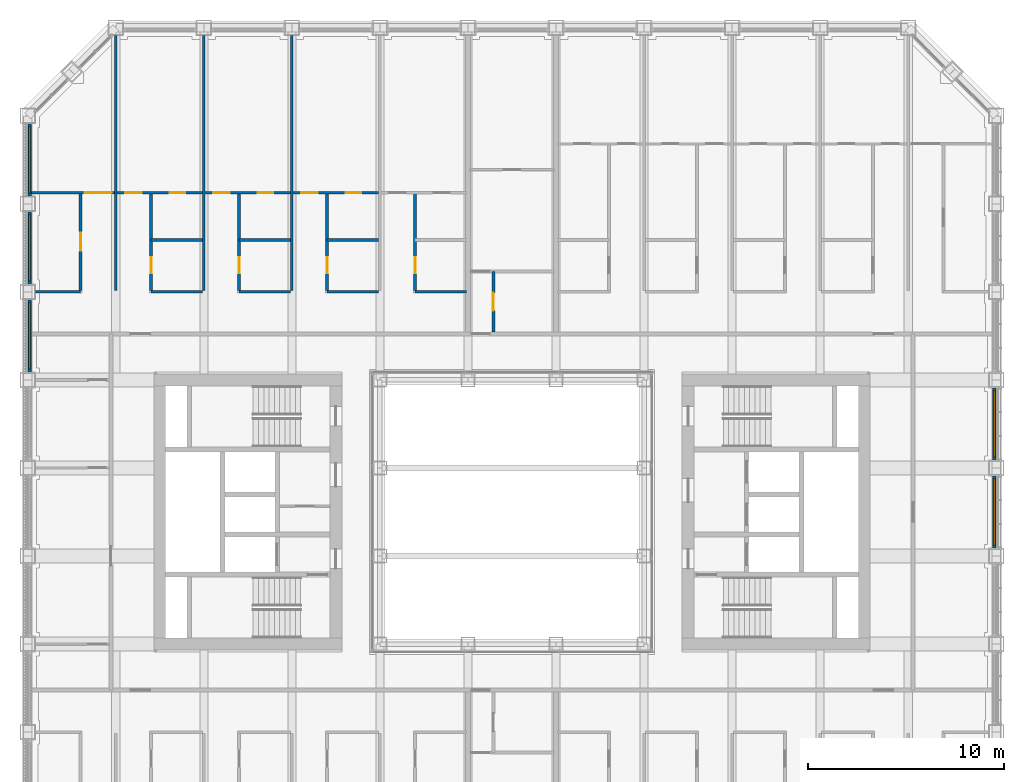
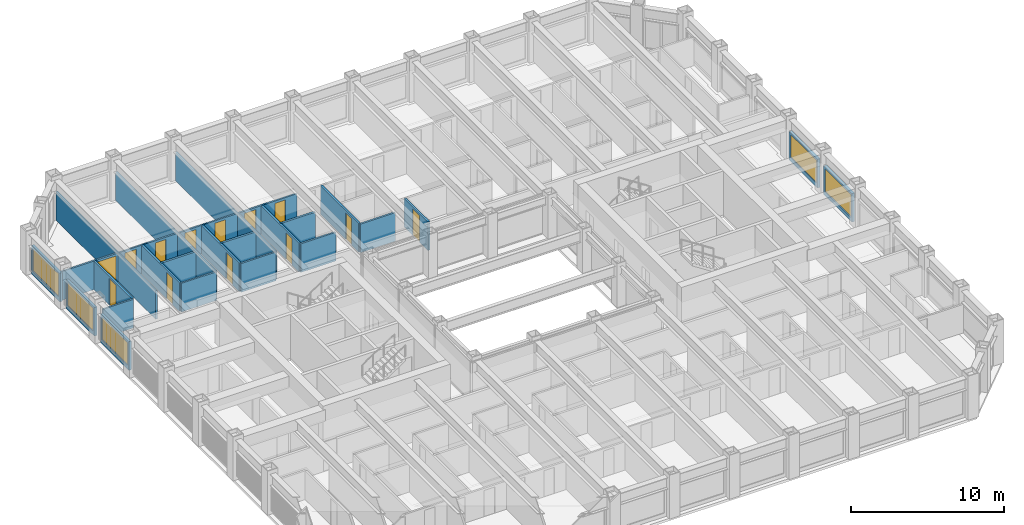
# One storey, part 13 of 21: 26 walls, 13 doors, 5 windows, 18 openings.
"""IFC4 building model written with IfcOpenShell, lengths in metres."""

from ifc_helpers import new_model, si_unit, direction, frame, frame_2d, origin, place, context, subcontext, project, spatial, rectangle, extrude, material, layer, layer_set, type_object, element, fill, save


model = new_model("IFC4")

# Units and contexts
model_context = context("Model", 3, precision=1e-05, world=origin(), true_north=direction((0.0, 1.0)))
body_context = subcontext(model_context, "Body", "Model", "MODEL_VIEW")
ifc_project = project(units=[si_unit("LENGTHUNIT", "METRE"), si_unit("AREAUNIT", "SQUARE_METRE"), si_unit("VOLUMEUNIT", "CUBIC_METRE"), si_unit("PLANEANGLEUNIT", "RADIAN"), si_unit("MASSUNIT", "GRAM", prefix="KILO")], contexts=[model_context])

# Site, building, storey
site_placement = place(None, origin())
site = spatial("IfcSite", under=ifc_project, at=site_placement, CompositionType="ELEMENT")
building_placement = place(site_placement, origin())
building = spatial("IfcBuilding", under=site, at=building_placement, Name="Msasa Ring Tower", CompositionType="ELEMENT")
storey_placement = place(building_placement, frame((0.0, 0.0, 103.5)))
storey = spatial("IfcBuildingStorey", under=building, at=storey_placement, Name="L27", CompositionType="ELEMENT", Elevation=103.5)

# Wall, opening, window
ifc_material_1 = material(Name="Terracotta rainscreen on blockwork", Category="masonry")
ifc_layer_1 = layer(ifc_material_1, 0.199951171875)
ifc_layer_set_1 = layer_set([ifc_layer_1], Name="FW1 TERRACOTTA-LINED INFILL BAY WALL 200")
wall_type_1 = type_object("IfcWallType", Name="FW1 TERRACOTTA-LINED INFILL BAY WALL 200", PredefinedType="SOLIDWALL", material=ifc_layer_set_1)
wall_1_placement = place(storey_placement, frame((24.64990234375, -1.844970703125, 0.0), z_axis=(0.0, 0.0, 1.0), x_axis=(0.0, 1.0, 0.0)))
wall_1 = element("IfcWall", 1, at=wall_1_placement, inside=storey, type_object=wall_type_1, Name="Infill bay wall E L27 15", PredefinedType="SOLIDWALL", context=body_context, shape_type="SweptSolid", body=[
    extrude(rectangle(XDim=3.68994140625, YDim=0.199951171875, at=frame_2d((1.844970703125, 0.0))), origin(), (0.0, 0.0, 1.0), 2.279052734375),
])
opening_1_placement = place(wall_1_placement, frame((0.14501953125, 0.0, 0.300048828125)))
opening_1 = element("IfcOpeningElement", 2, at=opening_1_placement, cuts=wall_1, Name="Opening WN6", PredefinedType="OPENING", context=body_context, shape_type="SweptSolid", body=[
    extrude(rectangle(XDim=3.39990234375, YDim=1.8291015625, at=frame_2d((1.699951171875, 0.91455078125))), frame((0.0, 0.10986328125, 0.0), z_axis=(0.0, -1.0, 0.0), x_axis=(1.0, 0.0, 0.0)), (0.0, 0.0, 1.0), 0.219970703125),
])
ifc_material_2 = material(Name="Aluminium frame with clear glass", Category="aluminium")
window_type = type_object("IfcWindowType", Name="WN6 RESIDENCE WINDOW 3400x1829", PartitioningType="SINGLE_PANEL", PredefinedType="WINDOW", material=ifc_material_2)
window_1_placement = place(opening_1_placement, origin())
window_1 = element("IfcWindow", 3, at=window_1_placement, inside=storey, type_object=window_type, Name="Window E L27 15", OverallHeight=1.8291015625, OverallWidth=3.39990234375, PartitioningType="SINGLE_PANEL", PredefinedType="WINDOW", context=body_context, shape_type="SweptSolid", body=[
    extrude(rectangle(XDim=3.39990234375, YDim=1.8291015625, at=frame_2d((1.699951171875, 0.91455078125))), frame((0.0, 0.030029296875, 0.0), z_axis=(0.0, -1.0, 0.0), x_axis=(1.0, 0.0, 0.0)), (0.0, 0.0, 1.0), 0.06005859375),
])
fill(opening_1, window_1)

wall_2_placement = place(storey_placement, frame((24.64990234375, 2.655029296875, 0.0), z_axis=(0.0, 0.0, 1.0), x_axis=(0.0, 1.0, 0.0)))
wall_2 = element("IfcWall", 4, at=wall_2_placement, inside=storey, type_object=wall_type_1, Name="Infill bay wall E L27 16", PredefinedType="SOLIDWALL", context=body_context, shape_type="SweptSolid", body=[
    extrude(rectangle(XDim=3.68994140625, YDim=0.199951171875, at=frame_2d((1.844970703125, 0.0))), origin(), (0.0, 0.0, 1.0), 2.279052734375),
])
opening_2_placement = place(wall_2_placement, frame((0.14501953125, 0.0, 0.300048828125)))
opening_2 = element("IfcOpeningElement", 5, at=opening_2_placement, cuts=wall_2, Name="Opening WN6", PredefinedType="OPENING", context=body_context, shape_type="SweptSolid", body=[
    extrude(rectangle(XDim=3.39990234375, YDim=1.8291015625, at=frame_2d((1.699951171875, 0.91455078125))), frame((0.0, 0.10986328125, 0.0), z_axis=(0.0, -1.0, 0.0), x_axis=(1.0, 0.0, 0.0)), (0.0, 0.0, 1.0), 0.219970703125),
])
window_2_placement = place(opening_2_placement, origin())
window_2 = element("IfcWindow", 6, at=window_2_placement, inside=storey, type_object=window_type, Name="Window E L27 16", OverallHeight=1.8291015625, OverallWidth=3.39990234375, PartitioningType="SINGLE_PANEL", PredefinedType="WINDOW", context=body_context, shape_type="SweptSolid", body=[
    extrude(rectangle(XDim=3.39990234375, YDim=1.8291015625, at=frame_2d((1.699951171875, 0.91455078125))), frame((0.0, 0.030029296875, 0.0), z_axis=(0.0, -1.0, 0.0), x_axis=(1.0, 0.0, 0.0)), (0.0, 0.0, 1.0), 0.06005859375),
])
fill(opening_2, window_2)

wall_3_placement = place(storey_placement, frame((-24.64990234375, 7.155029296875, 0.0), z_axis=(0.0, 0.0, 1.0), x_axis=(0.0, 1.0, 0.0)))
wall_3 = element("IfcWall", 7, at=wall_3_placement, inside=storey, type_object=wall_type_1, Name="Infill bay wall W L27 39", PredefinedType="SOLIDWALL", context=body_context, shape_type="SweptSolid", body=[
    extrude(rectangle(XDim=3.68994140625, YDim=0.199951171875, at=frame_2d((1.844970703125, 0.0))), origin(), (0.0, 0.0, 1.0), 2.279052734375),
])
opening_3_placement = place(wall_3_placement, frame((0.14501953125, 0.0, 0.300048828125)))
opening_3 = element("IfcOpeningElement", 8, at=opening_3_placement, cuts=wall_3, Name="Opening WN6", PredefinedType="OPENING", context=body_context, shape_type="SweptSolid", body=[
    extrude(rectangle(XDim=3.39990234375, YDim=1.8291015625, at=frame_2d((1.699951171875, 0.91455078125))), frame((0.0, 0.10986328125, 0.0), z_axis=(0.0, -1.0, 0.0), x_axis=(1.0, 0.0, 0.0)), (0.0, 0.0, 1.0), 0.219970703125),
])
window_3_placement = place(opening_3_placement, origin())
window_3 = element("IfcWindow", 9, at=window_3_placement, inside=storey, type_object=window_type, Name="Window W L27 39", OverallHeight=1.8291015625, OverallWidth=3.39990234375, PartitioningType="SINGLE_PANEL", PredefinedType="WINDOW", context=body_context, shape_type="SweptSolid", body=[
    extrude(rectangle(XDim=3.39990234375, YDim=1.8291015625, at=frame_2d((1.699951171875, 0.91455078125))), frame((0.0, 0.030029296875, 0.0), z_axis=(0.0, -1.0, 0.0), x_axis=(1.0, 0.0, 0.0)), (0.0, 0.0, 1.0), 0.06005859375),
])
fill(opening_3, window_3)

wall_4_placement = place(storey_placement, frame((-24.64990234375, 11.655029296875, 0.0), z_axis=(0.0, 0.0, 1.0), x_axis=(0.0, 1.0, 0.0)))
wall_4 = element("IfcWall", 10, at=wall_4_placement, inside=storey, type_object=wall_type_1, Name="Infill bay wall W L27 40", PredefinedType="SOLIDWALL", context=body_context, shape_type="SweptSolid", body=[
    extrude(rectangle(XDim=3.68994140625, YDim=0.199951171875, at=frame_2d((1.844970703125, 0.0))), origin(), (0.0, 0.0, 1.0), 2.279052734375),
])
opening_4_placement = place(wall_4_placement, frame((0.14501953125, 0.0, 0.300048828125)))
opening_4 = element("IfcOpeningElement", 11, at=opening_4_placement, cuts=wall_4, Name="Opening WN6", PredefinedType="OPENING", context=body_context, shape_type="SweptSolid", body=[
    extrude(rectangle(XDim=3.39990234375, YDim=1.8291015625, at=frame_2d((1.699951171875, 0.91455078125))), frame((0.0, 0.10986328125, 0.0), z_axis=(0.0, -1.0, 0.0), x_axis=(1.0, 0.0, 0.0)), (0.0, 0.0, 1.0), 0.219970703125),
])
window_4_placement = place(opening_4_placement, origin())
window_4 = element("IfcWindow", 12, at=window_4_placement, inside=storey, type_object=window_type, Name="Window W L27 40", OverallHeight=1.8291015625, OverallWidth=3.39990234375, PartitioningType="SINGLE_PANEL", PredefinedType="WINDOW", context=body_context, shape_type="SweptSolid", body=[
    extrude(rectangle(XDim=3.39990234375, YDim=1.8291015625, at=frame_2d((1.699951171875, 0.91455078125))), frame((0.0, 0.030029296875, 0.0), z_axis=(0.0, -1.0, 0.0), x_axis=(1.0, 0.0, 0.0)), (0.0, 0.0, 1.0), 0.06005859375),
])
fill(opening_4, window_4)

wall_5_placement = place(storey_placement, frame((-24.64990234375, 16.155029296875, 0.0), z_axis=(0.0, 0.0, 1.0), x_axis=(0.0, 1.0, 0.0)))
wall_5 = element("IfcWall", 13, at=wall_5_placement, inside=storey, type_object=wall_type_1, Name="Infill bay wall W L27 41", PredefinedType="SOLIDWALL", context=body_context, shape_type="SweptSolid", body=[
    extrude(rectangle(XDim=3.68994140625, YDim=0.199951171875, at=frame_2d((1.844970703125, 0.0))), origin(), (0.0, 0.0, 1.0), 2.279052734375),
])
opening_5_placement = place(wall_5_placement, frame((0.14501953125, 0.0, 0.300048828125)))
opening_5 = element("IfcOpeningElement", 14, at=opening_5_placement, cuts=wall_5, Name="Opening WN6", PredefinedType="OPENING", context=body_context, shape_type="SweptSolid", body=[
    extrude(rectangle(XDim=3.39990234375, YDim=1.8291015625, at=frame_2d((1.699951171875, 0.91455078125))), frame((0.0, 0.10986328125, 0.0), z_axis=(0.0, -1.0, 0.0), x_axis=(1.0, 0.0, 0.0)), (0.0, 0.0, 1.0), 0.219970703125),
])
window_5_placement = place(opening_5_placement, origin())
window_5 = element("IfcWindow", 15, at=window_5_placement, inside=storey, type_object=window_type, Name="Window W L27 41", OverallHeight=1.8291015625, OverallWidth=3.39990234375, PartitioningType="SINGLE_PANEL", PredefinedType="WINDOW", context=body_context, shape_type="SweptSolid", body=[
    extrude(rectangle(XDim=3.39990234375, YDim=1.8291015625, at=frame_2d((1.699951171875, 0.91455078125))), frame((0.0, 0.030029296875, 0.0), z_axis=(0.0, -1.0, 0.0), x_axis=(1.0, 0.0, 0.0)), (0.0, 0.0, 1.0), 0.06005859375),
])
fill(opening_5, window_5)

# Wall, opening, door
ifc_material_3 = material(Name="Moisture-resistant board on steel studs with a concealed cistern and pipe void, tiled", Category="steel")
ifc_layer_2 = layer(ifc_material_3, 0.14990234375)
ifc_layer_set_2 = layer_set([ifc_layer_2], Name="PT4 BATHROOM WET WALL 150")
wall_type_2 = type_object("IfcWallType", Name="PT4 BATHROOM WET WALL 150", PredefinedType="PARTITIONING", material=ifc_layer_set_2)
wall_6_placement = place(storey_placement, frame((-22.050048828125, 11.3125, 0.0), z_axis=(0.0, 0.0, 1.0), x_axis=(0.0, 1.0, 0.0)))
wall_6 = element("IfcWall", 16, at=wall_6_placement, inside=storey, type_object=wall_type_2, Name="Partition L27-UN00SX0", PredefinedType="PARTITIONING", context=body_context, shape_type="SweptSolid", body=[
    extrude(rectangle(XDim=5.0, YDim=0.14990234375, at=frame_2d((2.5, 0.0))), origin(), (0.0, 0.0, 1.0), 2.279052734375),
])
opening_6_placement = place(wall_6_placement, frame((2.050048828125, 0.0, 0.0)))
opening_6 = element("IfcOpeningElement", 17, at=opening_6_placement, cuts=wall_6, Name="Opening RH-021", PredefinedType="OPENING", context=body_context, shape_type="SweptSolid", body=[
    extrude(rectangle(XDim=0.89990234375, YDim=2.10009765625, at=frame_2d((0.449951171875, 1.050048828125))), frame((0.0, 0.0849609375, 0.0), z_axis=(0.0, -1.0, 0.0), x_axis=(1.0, 0.0, 0.0)), (0.0, 0.0, 1.0), 0.169921875),
])
ifc_material_4 = material(Name="Timber door leaf in a steel frame", Category="steel")
door_type_1 = type_object("IfcDoorType", Name="D22 INTERNAL HALL DOOR 900x2100", OperationType="SINGLE_SWING_LEFT", PredefinedType="DOOR", material=ifc_material_4)
door_1_placement = place(opening_6_placement, origin())
door_1 = element("IfcDoor", 18, at=door_1_placement, inside=storey, type_object=door_type_1, Name="Door L27-UN00K", OperationType="SINGLE_SWING_LEFT", OverallHeight=2.10009765625, OverallWidth=0.89990234375, PredefinedType="DOOR", context=body_context, shape_type="SweptSolid", body=[
    extrude(rectangle(XDim=0.89990234375, YDim=2.10009765625, at=frame_2d((0.449951171875, 1.050048828125))), frame((0.0, 0.02490234375, 0.0), z_axis=(0.0, -1.0, 0.0), x_axis=(1.0, 0.0, 0.0)), (0.0, 0.0, 1.0), 0.050048828125),
])
fill(opening_6, door_1)

wall_7_placement = place(storey_placement, frame((-18.449951171875, 11.3125, 0.0), z_axis=(0.0, 0.0, 1.0), x_axis=(0.0, 1.0, 0.0)))
wall_7 = element("IfcWall", 19, at=wall_7_placement, inside=storey, type_object=wall_type_2, Name="Partition L27-UN00SX1", PredefinedType="PARTITIONING", context=body_context, shape_type="SweptSolid", body=[
    extrude(rectangle(XDim=5.0, YDim=0.14990234375, at=frame_2d((2.5, 0.0))), origin(), (0.0, 0.0, 1.0), 2.279052734375),
])
opening_7_placement = place(wall_7_placement, frame((0.89990234375, 0.0, 0.0)))
opening_7 = element("IfcOpeningElement", 20, at=opening_7_placement, cuts=wall_7, Name="Opening RH-022", PredefinedType="OPENING", context=body_context, shape_type="SweptSolid", body=[
    extrude(rectangle(XDim=0.800048828125, YDim=2.10009765625, at=frame_2d((0.39990234375, 1.050048828125))), frame((0.0, 0.0849609375, 0.0), z_axis=(0.0, -1.0, 0.0), x_axis=(1.0, 0.0, 0.0)), (0.0, 0.0, 1.0), 0.169921875),
])
ifc_material_5 = material(Name="Timber door leaf in a steel frame", Category="steel")
door_type_2 = type_object("IfcDoorType", Name="D21 POCKET SLIDING BATHROOM DOOR 800x2100", OperationType="SINGLE_SWING_LEFT", PredefinedType="DOOR", material=ifc_material_5)
door_2_placement = place(opening_7_placement, origin())
door_2 = element("IfcDoor", 21, at=door_2_placement, inside=storey, type_object=door_type_2, Name="Door L27-UN00B1", OperationType="SINGLE_SWING_LEFT", OverallHeight=2.10009765625, OverallWidth=0.800048828125, PredefinedType="DOOR", context=body_context, shape_type="SweptSolid", body=[
    extrude(rectangle(XDim=0.800048828125, YDim=2.10009765625, at=frame_2d((0.39990234375, 1.050048828125))), frame((0.0, 0.02490234375, 0.0), z_axis=(0.0, -1.0, 0.0), x_axis=(1.0, 0.0, 0.0)), (0.0, 0.0, 1.0), 0.050048828125),
])
fill(opening_7, door_2)

# Wall
wall_8_placement = place(storey_placement, frame((-18.449951171875, 13.91259765625, 0.0), z_axis=(0.0, 0.0, 1.0), x_axis=(1.0, 0.0, 0.0)))
element("IfcWall", 22, at=wall_8_placement, inside=storey, type_object=wall_type_2, Name="Partition L27-UN00SB1", PredefinedType="PARTITIONING", context=body_context, shape_type="SweptSolid", body=[
    extrude(rectangle(XDim=2.637451171875, YDim=0.14990234375, at=frame_2d((1.31884765625, 0.0))), origin(), (0.0, 0.0, 1.0), 2.279052734375),
])

# Wall, opening, door
wall_9_placement = place(storey_placement, frame((-13.949951171875, 11.3125, 0.0), z_axis=(0.0, 0.0, 1.0), x_axis=(0.0, 1.0, 0.0)))
wall_9 = element("IfcWall", 23, at=wall_9_placement, inside=storey, type_object=wall_type_2, Name="Partition L27-UN00SX2", PredefinedType="PARTITIONING", context=body_context, shape_type="SweptSolid", body=[
    extrude(rectangle(XDim=5.0, YDim=0.14990234375, at=frame_2d((2.5, 0.0))), origin(), (0.0, 0.0, 1.0), 2.279052734375),
])
opening_8_placement = place(wall_9_placement, frame((0.89990234375, 0.0, 0.0)))
opening_8 = element("IfcOpeningElement", 24, at=opening_8_placement, cuts=wall_9, Name="Opening RH-023", PredefinedType="OPENING", context=body_context, shape_type="SweptSolid", body=[
    extrude(rectangle(XDim=0.800048828125, YDim=2.10009765625, at=frame_2d((0.39990234375, 1.050048828125))), frame((0.0, 0.0849609375, 0.0), z_axis=(0.0, -1.0, 0.0), x_axis=(1.0, 0.0, 0.0)), (0.0, 0.0, 1.0), 0.169921875),
])
door_3_placement = place(opening_8_placement, origin())
door_3 = element("IfcDoor", 25, at=door_3_placement, inside=storey, type_object=door_type_2, Name="Door L27-UN00B2", OperationType="SINGLE_SWING_LEFT", OverallHeight=2.10009765625, OverallWidth=0.800048828125, PredefinedType="DOOR", context=body_context, shape_type="SweptSolid", body=[
    extrude(rectangle(XDim=0.800048828125, YDim=2.10009765625, at=frame_2d((0.39990234375, 1.050048828125))), frame((0.0, 0.02490234375, 0.0), z_axis=(0.0, -1.0, 0.0), x_axis=(1.0, 0.0, 0.0)), (0.0, 0.0, 1.0), 0.050048828125),
])
fill(opening_8, door_3)

# Wall
wall_10_placement = place(storey_placement, frame((-13.949951171875, 13.91259765625, 0.0), z_axis=(0.0, 0.0, 1.0), x_axis=(1.0, 0.0, 0.0)))
element("IfcWall", 26, at=wall_10_placement, inside=storey, type_object=wall_type_2, Name="Partition L27-UN00SB2", PredefinedType="PARTITIONING", context=body_context, shape_type="SweptSolid", body=[
    extrude(rectangle(XDim=2.637451171875, YDim=0.14990234375, at=frame_2d((1.31884765625, 0.0))), origin(), (0.0, 0.0, 1.0), 2.279052734375),
])

# Wall, opening, door
wall_11_placement = place(storey_placement, frame((-9.449951171875, 11.3125, 0.0), z_axis=(0.0, 0.0, 1.0), x_axis=(0.0, 1.0, 0.0)))
wall_11 = element("IfcWall", 27, at=wall_11_placement, inside=storey, type_object=wall_type_2, Name="Partition L27-UN00SX3", PredefinedType="PARTITIONING", context=body_context, shape_type="SweptSolid", body=[
    extrude(rectangle(XDim=5.0, YDim=0.14990234375, at=frame_2d((2.5, 0.0))), origin(), (0.0, 0.0, 1.0), 2.279052734375),
])
opening_9_placement = place(wall_11_placement, frame((0.89990234375, 0.0, 0.0)))
opening_9 = element("IfcOpeningElement", 28, at=opening_9_placement, cuts=wall_11, Name="Opening RH-024", PredefinedType="OPENING", context=body_context, shape_type="SweptSolid", body=[
    extrude(rectangle(XDim=0.800048828125, YDim=2.10009765625, at=frame_2d((0.39990234375, 1.050048828125))), frame((0.0, 0.0849609375, 0.0), z_axis=(0.0, -1.0, 0.0), x_axis=(1.0, 0.0, 0.0)), (0.0, 0.0, 1.0), 0.169921875),
])
door_4_placement = place(opening_9_placement, origin())
door_4 = element("IfcDoor", 29, at=door_4_placement, inside=storey, type_object=door_type_2, Name="Door L27-UN00B3", OperationType="SINGLE_SWING_LEFT", OverallHeight=2.10009765625, OverallWidth=0.800048828125, PredefinedType="DOOR", context=body_context, shape_type="SweptSolid", body=[
    extrude(rectangle(XDim=0.800048828125, YDim=2.10009765625, at=frame_2d((0.39990234375, 1.050048828125))), frame((0.0, 0.02490234375, 0.0), z_axis=(0.0, -1.0, 0.0), x_axis=(1.0, 0.0, 0.0)), (0.0, 0.0, 1.0), 0.050048828125),
])
fill(opening_9, door_4)

# Wall
wall_12_placement = place(storey_placement, frame((-9.449951171875, 13.91259765625, 0.0), z_axis=(0.0, 0.0, 1.0), x_axis=(1.0, 0.0, 0.0)))
element("IfcWall", 30, at=wall_12_placement, inside=storey, type_object=wall_type_2, Name="Partition L27-UN00SB3", PredefinedType="PARTITIONING", context=body_context, shape_type="SweptSolid", body=[
    extrude(rectangle(XDim=2.637451171875, YDim=0.14990234375, at=frame_2d((1.31884765625, 0.0))), origin(), (0.0, 0.0, 1.0), 2.279052734375),
])

# Wall, opening, door
wall_13_placement = place(storey_placement, frame((-4.949951171875, 11.3125, 0.0), z_axis=(0.0, 0.0, 1.0), x_axis=(0.0, 1.0, 0.0)))
wall_13 = element("IfcWall", 31, at=wall_13_placement, inside=storey, type_object=wall_type_2, Name="Partition L27-UN00SX4", PredefinedType="PARTITIONING", context=body_context, shape_type="SweptSolid", body=[
    extrude(rectangle(XDim=5.0, YDim=0.14990234375, at=frame_2d((2.5, 0.0))), origin(), (0.0, 0.0, 1.0), 2.279052734375),
])
opening_10_placement = place(wall_13_placement, frame((0.89990234375, 0.0, 0.0)))
opening_10 = element("IfcOpeningElement", 32, at=opening_10_placement, cuts=wall_13, Name="Opening RH-025", PredefinedType="OPENING", context=body_context, shape_type="SweptSolid", body=[
    extrude(rectangle(XDim=0.800048828125, YDim=2.10009765625, at=frame_2d((0.39990234375, 1.050048828125))), frame((0.0, 0.0849609375, 0.0), z_axis=(0.0, -1.0, 0.0), x_axis=(1.0, 0.0, 0.0)), (0.0, 0.0, 1.0), 0.169921875),
])
door_5_placement = place(opening_10_placement, origin())
door_5 = element("IfcDoor", 33, at=door_5_placement, inside=storey, type_object=door_type_2, Name="Door L27-UN00B4", OperationType="SINGLE_SWING_LEFT", OverallHeight=2.10009765625, OverallWidth=0.800048828125, PredefinedType="DOOR", context=body_context, shape_type="SweptSolid", body=[
    extrude(rectangle(XDim=0.800048828125, YDim=2.10009765625, at=frame_2d((0.39990234375, 1.050048828125))), frame((0.0, 0.02490234375, 0.0), z_axis=(0.0, -1.0, 0.0), x_axis=(1.0, 0.0, 0.0)), (0.0, 0.0, 1.0), 0.050048828125),
])
fill(opening_10, door_5)

wall_14_placement = place(storey_placement, frame((-0.949951171875, 9.199951171875, 0.0), z_axis=(0.0, 0.0, 1.0), x_axis=(0.0, 1.0, 0.0)))
wall_14 = element("IfcWall", 34, at=wall_14_placement, inside=storey, type_object=wall_type_2, Name="Partition L27-UN01BX", PredefinedType="PARTITIONING", context=body_context, shape_type="SweptSolid", body=[
    extrude(rectangle(XDim=3.10009765625, YDim=0.14990234375, at=frame_2d((1.550048828125, 0.0))), origin(), (0.0, 0.0, 1.0), 2.279052734375),
])
opening_11_placement = place(wall_14_placement, frame((1.10009765625, 0.0, 0.0)))
opening_11 = element("IfcOpeningElement", 35, at=opening_11_placement, cuts=wall_14, Name="Opening RH-031", PredefinedType="OPENING", context=body_context, shape_type="SweptSolid", body=[
    extrude(rectangle(XDim=0.89990234375, YDim=2.10009765625, at=frame_2d((0.449951171875, 1.050048828125))), frame((0.0, 0.0849609375, 0.0), z_axis=(0.0, -1.0, 0.0), x_axis=(1.0, 0.0, 0.0)), (0.0, 0.0, 1.0), 0.169921875),
])
ifc_material_6 = material(Name="Timber door leaf in a steel frame", Category="steel")
door_type_3 = type_object("IfcDoorType", Name="D3 BATHROOM DOOR 900x2100", OperationType="SINGLE_SWING_LEFT", PredefinedType="DOOR", material=ifc_material_6)
door_6_placement = place(opening_11_placement, origin())
door_6 = element("IfcDoor", 36, at=door_6_placement, inside=storey, type_object=door_type_3, Name="Door L27-UN01B", OperationType="SINGLE_SWING_LEFT", OverallHeight=2.10009765625, OverallWidth=0.89990234375, PredefinedType="DOOR", context=body_context, shape_type="SweptSolid", body=[
    extrude(rectangle(XDim=0.89990234375, YDim=2.10009765625, at=frame_2d((0.449951171875, 1.050048828125))), frame((0.0, 0.02490234375, 0.0), z_axis=(0.0, -1.0, 0.0), x_axis=(1.0, 0.0, 0.0)), (0.0, 0.0, 1.0), 0.050048828125),
])
fill(opening_11, door_6)

# Wall
ifc_material_7 = material(Name="Two layers of acoustic board each face on steel studs, mineral wool", Category="steel")
ifc_layer_3 = layer(ifc_material_7, 0.125)
ifc_layer_set_3 = layer_set([ifc_layer_3], Name="PT6 ACOUSTIC DOUBLE-BOARD PARTITION 125")
wall_type_3 = type_object("IfcWallType", Name="PT6 ACOUSTIC DOUBLE-BOARD PARTITION 125", PredefinedType="PARTITIONING", material=ifc_layer_set_3)
wall_15_placement = place(storey_placement, frame((-24.35009765625, 11.25, 0.0), z_axis=(0.0, 0.0, 1.0), x_axis=(1.0, 0.0, 0.0)))
element("IfcWall", 37, at=wall_15_placement, inside=storey, type_object=wall_type_3, Name="Partition L27-UN00HY0", PredefinedType="PARTITIONING", context=body_context, shape_type="SweptSolid", body=[
    extrude(rectangle(XDim=2.300048828125, YDim=0.125, at=frame_2d((1.14990234375, 0.0))), origin(), (0.0, 0.0, 1.0), 2.279052734375),
])

# Wall, opening, door
wall_16_placement = place(storey_placement, frame((-24.550048828125, 16.3125, 0.0), z_axis=(0.0, 0.0, 1.0), x_axis=(1.0, 0.0, 0.0)))
wall_16 = element("IfcWall", 38, at=wall_16_placement, inside=storey, type_object=wall_type_3, Name="Partition L27-UN00SY0", PredefinedType="PARTITIONING", context=body_context, shape_type="SweptSolid", body=[
    extrude(rectangle(XDim=4.237548828125, YDim=0.125, at=frame_2d((2.11865234375, 0.0))), origin(), (0.0, 0.0, 1.0), 2.279052734375),
])
opening_12_placement = place(wall_16_placement, frame((2.699951171875, 0.0, 0.0)))
opening_12 = element("IfcOpeningElement", 39, at=opening_12_placement, cuts=wall_16, Name="Opening RH-011", PredefinedType="OPENING", context=body_context, shape_type="SweptSolid", body=[
    extrude(rectangle(XDim=1.39990234375, YDim=2.10009765625, at=frame_2d((0.699951171875, 1.050048828125))), frame((0.0, 0.072509765625, 0.0), z_axis=(0.0, -1.0, 0.0), x_axis=(1.0, 0.0, 0.0)), (0.0, 0.0, 1.0), 0.14501953125),
])
ifc_material_8 = material(Name="Timber door leaf in a steel frame", Category="steel")
door_type_4 = type_object("IfcDoorType", Name="D15 LIVING ROOM PAIR OF GLAZED DOORS 1400x2100", OperationType="SINGLE_SWING_LEFT", PredefinedType="DOOR", material=ifc_material_8)
door_7_placement = place(opening_12_placement, origin())
door_7 = element("IfcDoor", 40, at=door_7_placement, inside=storey, type_object=door_type_4, Name="Door L27-UN00L", OperationType="SINGLE_SWING_RIGHT", OverallHeight=2.10009765625, OverallWidth=1.39990234375, PredefinedType="DOOR", context=body_context, shape_type="SweptSolid", body=[
    extrude(rectangle(XDim=1.39990234375, YDim=2.10009765625, at=frame_2d((0.699951171875, 1.050048828125))), frame((0.0, 0.02490234375, 0.0), z_axis=(0.0, -1.0, 0.0), x_axis=(1.0, 0.0, 0.0)), (0.0, 0.0, 1.0), 0.050048828125),
])
fill(opening_12, door_7)

# Walls
wall_17_placement = place(storey_placement, frame((-20.25, 11.3125, 0.0), z_axis=(0.0, 0.0, 1.0), x_axis=(0.0, 1.0, 0.0)))
element("IfcWall", 41, at=wall_17_placement, inside=storey, type_object=wall_type_3, Name="Partition L27-UN00P1", PredefinedType="PARTITIONING", context=body_context, shape_type="SweptSolid", body=[
    extrude(rectangle(XDim=13.03759765625, YDim=0.125, at=frame_2d((6.518798828125, 0.0))), origin(), (0.0, 0.0, 1.0), 2.279052734375),
])
wall_18_placement = place(storey_placement, frame((-18.449951171875, 11.25, 0.0), z_axis=(0.0, 0.0, 1.0), x_axis=(1.0, 0.0, 0.0)))
element("IfcWall", 42, at=wall_18_placement, inside=storey, type_object=wall_type_3, Name="Partition L27-UN00HY1", PredefinedType="PARTITIONING", context=body_context, shape_type="SweptSolid", body=[
    extrude(rectangle(XDim=2.632568359375, YDim=0.125, at=frame_2d((1.31640625, 0.0))), origin(), (0.0, 0.0, 1.0), 2.279052734375),
])

# Wall, openings, doors
wall_19_placement = place(storey_placement, frame((-20.1875, 16.3125, 0.0), z_axis=(0.0, 0.0, 1.0), x_axis=(1.0, 0.0, 0.0)))
wall_19 = element("IfcWall", 43, at=wall_19_placement, inside=storey, type_object=wall_type_3, Name="Partition L27-UN00SY1", PredefinedType="PARTITIONING", context=body_context, shape_type="SweptSolid", body=[
    extrude(rectangle(XDim=4.375, YDim=0.125, at=frame_2d((2.1875, 0.0))), origin(), (0.0, 0.0, 1.0), 2.279052734375),
])
opening_13_placement = place(wall_19_placement, frame((0.41259765625, 0.0, 0.0)))
opening_13 = element("IfcOpeningElement", 44, at=opening_13_placement, cuts=wall_19, Name="Opening RH-012", PredefinedType="OPENING", context=body_context, shape_type="SweptSolid", body=[
    extrude(rectangle(XDim=0.85009765625, YDim=2.10009765625, at=frame_2d((0.425048828125, 1.050048828125))), frame((0.0, 0.072509765625, 0.0), z_axis=(0.0, -1.0, 0.0), x_axis=(1.0, 0.0, 0.0)), (0.0, 0.0, 1.0), 0.14501953125),
])
opening_14_placement = place(wall_19_placement, frame((2.693603515625, 0.0, 0.0)))
opening_14 = element("IfcOpeningElement", 45, at=opening_14_placement, cuts=wall_19, Name="Opening RH-013", PredefinedType="OPENING", context=body_context, shape_type="SweptSolid", body=[
    extrude(rectangle(XDim=0.800048828125, YDim=2.10009765625, at=frame_2d((0.39990234375, 1.050048828125))), frame((0.0, 0.072509765625, 0.0), z_axis=(0.0, -1.0, 0.0), x_axis=(1.0, 0.0, 0.0)), (0.0, 0.0, 1.0), 0.14501953125),
])
ifc_material_9 = material(Name="Timber door leaf in a steel frame", Category="steel")
door_type_5 = type_object("IfcDoorType", Name="D14 BEDROOM DOOR 850x2100", OperationType="SINGLE_SWING_LEFT", PredefinedType="DOOR", material=ifc_material_9)
door_8_placement = place(opening_13_placement, origin())
door_8 = element("IfcDoor", 46, at=door_8_placement, inside=storey, type_object=door_type_5, Name="Door L27-UN00R1", OperationType="SINGLE_SWING_LEFT", OverallHeight=2.10009765625, OverallWidth=0.85009765625, PredefinedType="DOOR", context=body_context, shape_type="SweptSolid", body=[
    extrude(rectangle(XDim=0.85009765625, YDim=2.10009765625, at=frame_2d((0.425048828125, 1.050048828125))), frame((0.0, 0.02490234375, 0.0), z_axis=(0.0, -1.0, 0.0), x_axis=(1.0, 0.0, 0.0)), (0.0, 0.0, 1.0), 0.050048828125),
])
fill(opening_13, door_8)
ifc_material_10 = material(Name="Timber door leaf in a steel frame", Category="steel")
door_type_6 = type_object("IfcDoorType", Name="D60 DRESSING ROOM DOOR 800x2100", OperationType="SINGLE_SWING_LEFT", PredefinedType="DOOR", material=ifc_material_10)
door_9_placement = place(opening_14_placement, origin())
door_9 = element("IfcDoor", 47, at=door_9_placement, inside=storey, type_object=door_type_6, Name="Door L27-UN00W1", OperationType="SINGLE_SWING_RIGHT", OverallHeight=2.10009765625, OverallWidth=0.800048828125, PredefinedType="DOOR", context=body_context, shape_type="SweptSolid", body=[
    extrude(rectangle(XDim=0.800048828125, YDim=2.10009765625, at=frame_2d((0.39990234375, 1.050048828125))), frame((0.0, 0.02490234375, 0.0), z_axis=(0.0, -1.0, 0.0), x_axis=(1.0, 0.0, 0.0)), (0.0, 0.0, 1.0), 0.050048828125),
])
fill(opening_14, door_9)

# Walls
wall_20_placement = place(storey_placement, frame((-15.75, 11.3125, 0.0), z_axis=(0.0, 0.0, 1.0), x_axis=(0.0, 1.0, 0.0)))
element("IfcWall", 48, at=wall_20_placement, inside=storey, type_object=wall_type_3, Name="Partition L27-UN00P2", PredefinedType="PARTITIONING", context=body_context, shape_type="SweptSolid", body=[
    extrude(rectangle(XDim=13.03759765625, YDim=0.125, at=frame_2d((6.518798828125, 0.0))), origin(), (0.0, 0.0, 1.0), 2.279052734375),
])
wall_21_placement = place(storey_placement, frame((-13.949951171875, 11.25, 0.0), z_axis=(0.0, 0.0, 1.0), x_axis=(1.0, 0.0, 0.0)))
element("IfcWall", 49, at=wall_21_placement, inside=storey, type_object=wall_type_3, Name="Partition L27-UN00HY2", PredefinedType="PARTITIONING", context=body_context, shape_type="SweptSolid", body=[
    extrude(rectangle(XDim=2.632568359375, YDim=0.125, at=frame_2d((1.31640625, 0.0))), origin(), (0.0, 0.0, 1.0), 2.279052734375),
])

# Wall, openings, doors
wall_22_placement = place(storey_placement, frame((-15.6875, 16.3125, 0.0), z_axis=(0.0, 0.0, 1.0), x_axis=(1.0, 0.0, 0.0)))
wall_22 = element("IfcWall", 50, at=wall_22_placement, inside=storey, type_object=wall_type_3, Name="Partition L27-UN00SY2", PredefinedType="PARTITIONING", context=body_context, shape_type="SweptSolid", body=[
    extrude(rectangle(XDim=4.375, YDim=0.125, at=frame_2d((2.1875, 0.0))), origin(), (0.0, 0.0, 1.0), 2.279052734375),
])
opening_15_placement = place(wall_22_placement, frame((0.41259765625, 0.0, 0.0)))
opening_15 = element("IfcOpeningElement", 51, at=opening_15_placement, cuts=wall_22, Name="Opening RH-014", PredefinedType="OPENING", context=body_context, shape_type="SweptSolid", body=[
    extrude(rectangle(XDim=0.85009765625, YDim=2.10009765625, at=frame_2d((0.425048828125, 1.050048828125))), frame((0.0, 0.072509765625, 0.0), z_axis=(0.0, -1.0, 0.0), x_axis=(1.0, 0.0, 0.0)), (0.0, 0.0, 1.0), 0.14501953125),
])
opening_16_placement = place(wall_22_placement, frame((2.693603515625, 0.0, 0.0)))
opening_16 = element("IfcOpeningElement", 52, at=opening_16_placement, cuts=wall_22, Name="Opening RH-015", PredefinedType="OPENING", context=body_context, shape_type="SweptSolid", body=[
    extrude(rectangle(XDim=0.800048828125, YDim=2.10009765625, at=frame_2d((0.39990234375, 1.050048828125))), frame((0.0, 0.072509765625, 0.0), z_axis=(0.0, -1.0, 0.0), x_axis=(1.0, 0.0, 0.0)), (0.0, 0.0, 1.0), 0.14501953125),
])
door_10_placement = place(opening_15_placement, origin())
door_10 = element("IfcDoor", 53, at=door_10_placement, inside=storey, type_object=door_type_5, Name="Door L27-UN00R2", OperationType="SINGLE_SWING_LEFT", OverallHeight=2.10009765625, OverallWidth=0.85009765625, PredefinedType="DOOR", context=body_context, shape_type="SweptSolid", body=[
    extrude(rectangle(XDim=0.85009765625, YDim=2.10009765625, at=frame_2d((0.425048828125, 1.050048828125))), frame((0.0, 0.02490234375, 0.0), z_axis=(0.0, -1.0, 0.0), x_axis=(1.0, 0.0, 0.0)), (0.0, 0.0, 1.0), 0.050048828125),
])
fill(opening_15, door_10)
door_11_placement = place(opening_16_placement, origin())
door_11 = element("IfcDoor", 54, at=door_11_placement, inside=storey, type_object=door_type_6, Name="Door L27-UN00W2", OperationType="SINGLE_SWING_RIGHT", OverallHeight=2.10009765625, OverallWidth=0.800048828125, PredefinedType="DOOR", context=body_context, shape_type="SweptSolid", body=[
    extrude(rectangle(XDim=0.800048828125, YDim=2.10009765625, at=frame_2d((0.39990234375, 1.050048828125))), frame((0.0, 0.02490234375, 0.0), z_axis=(0.0, -1.0, 0.0), x_axis=(1.0, 0.0, 0.0)), (0.0, 0.0, 1.0), 0.050048828125),
])
fill(opening_16, door_11)

# Walls
wall_23_placement = place(storey_placement, frame((-11.25, 11.3125, 0.0), z_axis=(0.0, 0.0, 1.0), x_axis=(0.0, 1.0, 0.0)))
element("IfcWall", 55, at=wall_23_placement, inside=storey, type_object=wall_type_3, Name="Partition L27-UN00P3", PredefinedType="PARTITIONING", context=body_context, shape_type="SweptSolid", body=[
    extrude(rectangle(XDim=13.03759765625, YDim=0.125, at=frame_2d((6.518798828125, 0.0))), origin(), (0.0, 0.0, 1.0), 2.279052734375),
])
wall_24_placement = place(storey_placement, frame((-9.449951171875, 11.25, 0.0), z_axis=(0.0, 0.0, 1.0), x_axis=(1.0, 0.0, 0.0)))
element("IfcWall", 56, at=wall_24_placement, inside=storey, type_object=wall_type_3, Name="Partition L27-UN00HY3", PredefinedType="PARTITIONING", context=body_context, shape_type="SweptSolid", body=[
    extrude(rectangle(XDim=2.632568359375, YDim=0.125, at=frame_2d((1.31640625, 0.0))), origin(), (0.0, 0.0, 1.0), 2.279052734375),
])

# Wall, openings, doors
wall_25_placement = place(storey_placement, frame((-11.1875, 16.3125, 0.0), z_axis=(0.0, 0.0, 1.0), x_axis=(1.0, 0.0, 0.0)))
wall_25 = element("IfcWall", 57, at=wall_25_placement, inside=storey, type_object=wall_type_3, Name="Partition L27-UN00SY3", PredefinedType="PARTITIONING", context=body_context, shape_type="SweptSolid", body=[
    extrude(rectangle(XDim=4.375, YDim=0.125, at=frame_2d((2.1875, 0.0))), origin(), (0.0, 0.0, 1.0), 2.279052734375),
])
opening_17_placement = place(wall_25_placement, frame((0.41259765625, 0.0, 0.0)))
opening_17 = element("IfcOpeningElement", 58, at=opening_17_placement, cuts=wall_25, Name="Opening RH-016", PredefinedType="OPENING", context=body_context, shape_type="SweptSolid", body=[
    extrude(rectangle(XDim=0.85009765625, YDim=2.10009765625, at=frame_2d((0.425048828125, 1.050048828125))), frame((0.0, 0.072509765625, 0.0), z_axis=(0.0, -1.0, 0.0), x_axis=(1.0, 0.0, 0.0)), (0.0, 0.0, 1.0), 0.14501953125),
])
opening_18_placement = place(wall_25_placement, frame((2.693603515625, 0.0, 0.0)))
opening_18 = element("IfcOpeningElement", 59, at=opening_18_placement, cuts=wall_25, Name="Opening RH-017", PredefinedType="OPENING", context=body_context, shape_type="SweptSolid", body=[
    extrude(rectangle(XDim=0.800048828125, YDim=2.10009765625, at=frame_2d((0.39990234375, 1.050048828125))), frame((0.0, 0.072509765625, 0.0), z_axis=(0.0, -1.0, 0.0), x_axis=(1.0, 0.0, 0.0)), (0.0, 0.0, 1.0), 0.14501953125),
])
door_12_placement = place(opening_17_placement, origin())
door_12 = element("IfcDoor", 60, at=door_12_placement, inside=storey, type_object=door_type_5, Name="Door L27-UN00R3", OperationType="SINGLE_SWING_LEFT", OverallHeight=2.10009765625, OverallWidth=0.85009765625, PredefinedType="DOOR", context=body_context, shape_type="SweptSolid", body=[
    extrude(rectangle(XDim=0.85009765625, YDim=2.10009765625, at=frame_2d((0.425048828125, 1.050048828125))), frame((0.0, 0.02490234375, 0.0), z_axis=(0.0, -1.0, 0.0), x_axis=(1.0, 0.0, 0.0)), (0.0, 0.0, 1.0), 0.050048828125),
])
fill(opening_17, door_12)
door_13_placement = place(opening_18_placement, origin())
door_13 = element("IfcDoor", 61, at=door_13_placement, inside=storey, type_object=door_type_6, Name="Door L27-UN00W3", OperationType="SINGLE_SWING_RIGHT", OverallHeight=2.10009765625, OverallWidth=0.800048828125, PredefinedType="DOOR", context=body_context, shape_type="SweptSolid", body=[
    extrude(rectangle(XDim=0.800048828125, YDim=2.10009765625, at=frame_2d((0.39990234375, 1.050048828125))), frame((0.0, 0.02490234375, 0.0), z_axis=(0.0, -1.0, 0.0), x_axis=(1.0, 0.0, 0.0)), (0.0, 0.0, 1.0), 0.050048828125),
])
fill(opening_18, door_13)

# Wall
wall_26_placement = place(storey_placement, frame((-4.949951171875, 11.25, 0.0), z_axis=(0.0, 0.0, 1.0), x_axis=(1.0, 0.0, 0.0)))
element("IfcWall", 62, at=wall_26_placement, inside=storey, type_object=wall_type_3, Name="Partition L27-UN00HY4", PredefinedType="PARTITIONING", context=body_context, shape_type="SweptSolid", body=[
    extrude(rectangle(XDim=2.632568359375, YDim=0.125, at=frame_2d((1.31640625, 0.0))), origin(), (0.0, 0.0, 1.0), 2.279052734375),
])

save(model, "model.ifc")
